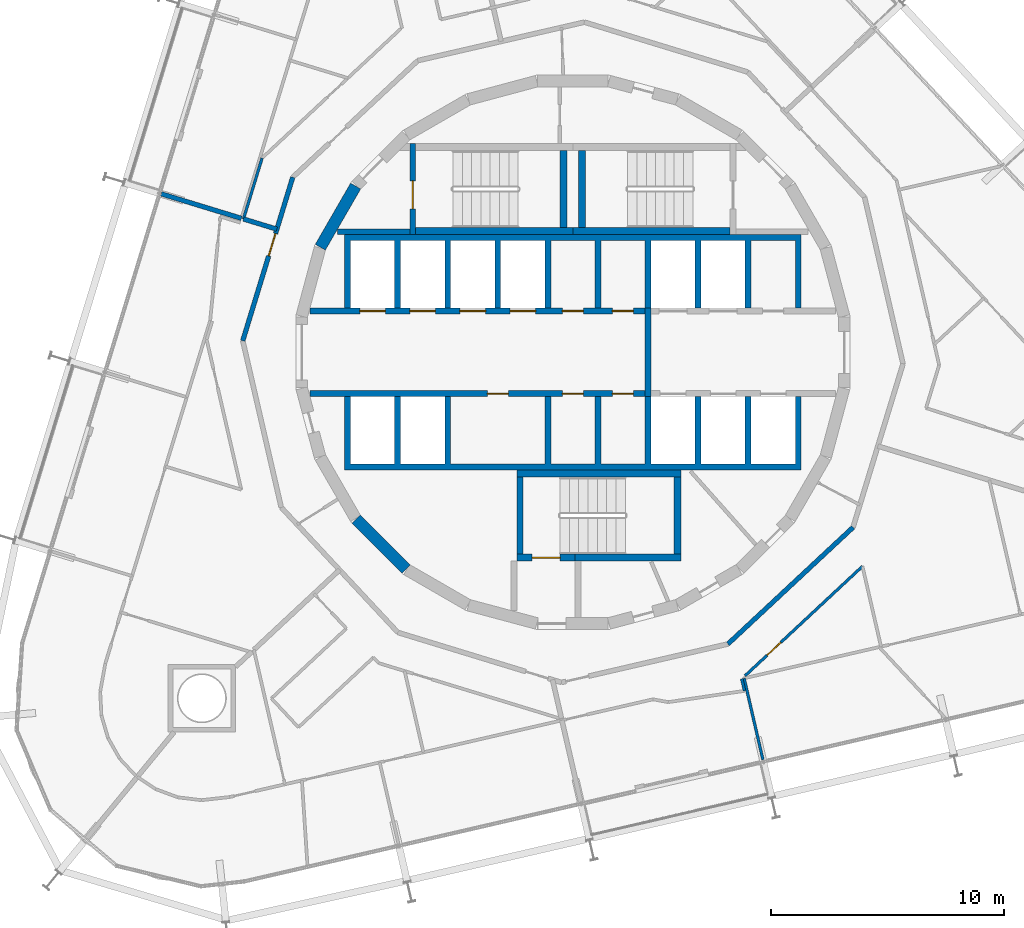
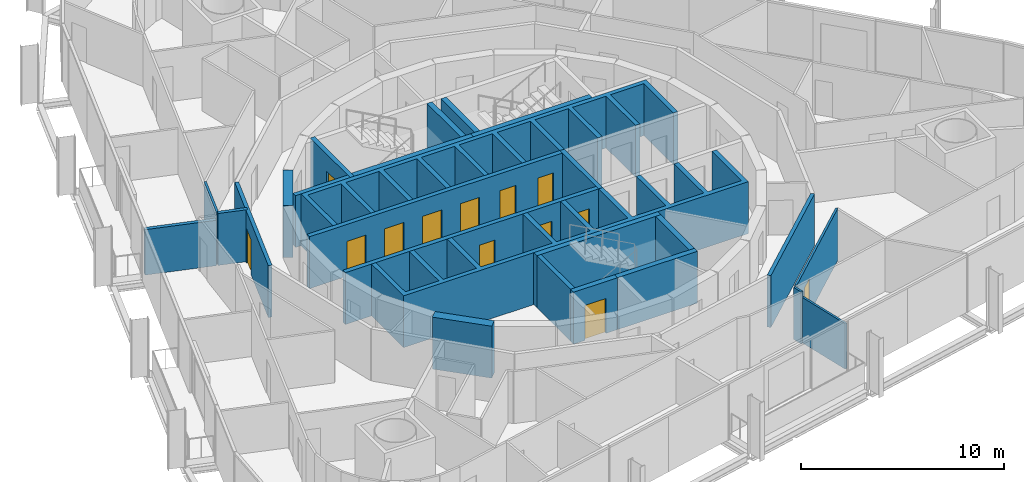
# One storey, part 13 of 18: 26 walls, 13 doors, 13 openings.
"""IFC4 building model written with IfcOpenShell, lengths in metres."""

from ifc_helpers import new_model, si_unit, direction, frame, frame_2d, origin, place, context, subcontext, project, spatial, polyline, rectangle, outline, extrude, material, layer, layer_set, type_object, element, fill, save


model = new_model("IFC4")

# Units and contexts
model_context = context("Model", 3, precision=1e-05, world=origin(), true_north=direction((0.0, 1.0)))
body_context = subcontext(model_context, "Body", "Model", "MODEL_VIEW")
ifc_project = project(units=[si_unit("LENGTHUNIT", "METRE"), si_unit("AREAUNIT", "SQUARE_METRE"), si_unit("VOLUMEUNIT", "CUBIC_METRE"), si_unit("PLANEANGLEUNIT", "RADIAN"), si_unit("MASSUNIT", "GRAM", prefix="KILO")], contexts=[model_context])

# Site, building, storey
site_placement = place(None, origin())
site = spatial("IfcSite", under=ifc_project, at=site_placement, CompositionType="ELEMENT")
building_placement = place(site_placement, origin())
building = spatial("IfcBuilding", under=site, at=building_placement, Name="Spindle Arch Residences", CompositionType="ELEMENT")
storey_placement = place(building_placement, frame((0.0, 0.0, 116.89990234375)))
storey = spatial("IfcBuildingStorey", under=building, at=storey_placement, Name="L28", CompositionType="ELEMENT", Elevation=116.89990234375)

# Walls
ifc_material_1 = material(Name="Concrete C50/60", Category="concrete")
ifc_layer_1 = layer(ifc_material_1, 0.5)
ifc_layer_set_1 = layer_set([ifc_layer_1], Name="Core outline wall 500")
wall_type_1 = type_object("IfcWallType", Name="Core outline wall 500", PredefinedType="SHEAR", material=ifc_layer_set_1)
wall_1_placement = place(storey_placement, frame((-9.32861328125, 7.13671875, 0.0), z_axis=(0.0, 0.0, 1.0), x_axis=(-0.500087131594, -0.865975092491, 0.0)))
element("IfcWall", 1, at=wall_1_placement, inside=storey, type_object=wall_type_1, Name="Core outline wall 16", PredefinedType="SHEAR", context=body_context, shape_type="SweptSolid", body=[
    extrude(rectangle(XDim=3.03271484375, YDim=0.5, at=frame_2d((1.516357421875, 0.0))), origin(), (0.0, 0.0, 1.0), 3.1201171875),
])
wall_2_placement = place(storey_placement, frame((-9.30810546875, -7.163818359375, 0.0), z_axis=(0.0, 0.0, 1.0), x_axis=(0.707106781187, -0.707106781187, 0.0)))
element("IfcWall", 2, at=wall_2_placement, inside=storey, type_object=wall_type_1, Name="Core outline wall 21", PredefinedType="SHEAR", context=body_context, shape_type="SweptSolid", body=[
    extrude(rectangle(XDim=3.032470703125, YDim=0.5, at=frame_2d((1.51611328125, 0.0))), origin(), (0.0, 0.0, 1.0), 3.1201171875),
])

# Wall, opening, door
ifc_material_2 = material(Name="Calcium silicate block, plastered")
ifc_layer_2 = layer(ifc_material_2, 0.199951171875)
ifc_layer_set_2 = layer_set([ifc_layer_2], Name="Corridor wall 200")
wall_type_2 = type_object("IfcWallType", Name="Corridor wall 200", PredefinedType="STANDARD", material=ifc_layer_set_2)
wall_3_placement = place(storey_placement, frame((-12.028076171875, 7.51611328125, 0.0), z_axis=(0.0, 0.0, 1.0), x_axis=(-0.292365533182, -0.956306642771, 0.0)))
wall_3 = element("IfcWall", 3, at=wall_3_placement, inside=storey, type_object=wall_type_2, Name="Corridor wall R3A1-W010", PredefinedType="STANDARD", context=body_context, shape_type="SweptSolid", body=[
    extrude(rectangle(XDim=7.341796875, YDim=0.199951171875, at=frame_2d((3.6708984375, 0.0))), origin(), (0.0, 0.0, 1.0), 3.1201171875),
])
opening_1_placement = place(wall_3_placement, frame((2.53271484375, 0.0, 0.0)))
opening_1 = element("IfcOpeningElement", 4, at=opening_1_placement, cuts=wall_3, Name="Opening R3A1-FD04", PredefinedType="OPENING", context=body_context, shape_type="SweptSolid", body=[
    extrude(rectangle(XDim=1.0, YDim=2.10009765625, at=frame_2d((0.5, 1.050048828125))), frame((0.0, 0.10986328125, 0.0), z_axis=(0.0, -1.0, 0.0), x_axis=(1.0, 0.0, 0.0)), (0.0, 0.0, 1.0), 0.219970703125),
])
ifc_material_3 = material(Name="Timber, fire-resisting door set", Category="wood")
door_type_1 = type_object("IfcDoorType", Name="Flat entrance door 1000x2100", OperationType="NOTDEFINED", PredefinedType="DOOR", material=ifc_material_3)
door_1_placement = place(opening_1_placement, origin())
door_1 = element("IfcDoor", 5, at=door_1_placement, inside=storey, type_object=door_type_1, Name="Flat entrance door R3A1-FD04", OperationType="SINGLE_SWING_LEFT", OverallHeight=2.10009765625, OverallWidth=1.0, PredefinedType="DOOR", context=body_context, shape_type="SweptSolid", body=[
    extrude(rectangle(XDim=1.0, YDim=2.10009765625, at=frame_2d((0.5, 1.050048828125))), frame((0.0, 0.02490234375, 0.0), z_axis=(0.0, -1.0, 0.0), x_axis=(1.0, 0.0, 0.0)), (0.0, 0.0, 1.0), 0.050048828125),
])
fill(opening_1, door_1)

# Walls
wall_4_placement = place(storey_placement, frame((6.65869140625, -12.523193359375, 0.0), z_axis=(0.0, 0.0, 1.0), x_axis=(0.731350455479, 0.682001841105, 0.0)))
element("IfcWall", 6, at=wall_4_placement, inside=storey, type_object=wall_type_2, Name="Corridor wall R3A1-W015", PredefinedType="STANDARD", context=body_context, shape_type="SweptSolid", body=[
    extrude(rectangle(XDim=7.341796875, YDim=0.199951171875, at=frame_2d((3.6708984375, 0.0))), origin(), (0.0, 0.0, 1.0), 3.1201171875),
])
ifc_material_4 = material(Name="Concrete C40/50", Category="concrete")
ifc_layer_3 = layer(ifc_material_4, 0.25)
ifc_layer_set_3 = layer_set([ifc_layer_3], Name="Fire-lift lobby wall 250")
wall_type_3 = type_object("IfcWallType", Name="Fire-lift lobby wall 250", PredefinedType="SHEAR", material=ifc_layer_set_3)
wall_5_placement = place(storey_placement, frame((3.22509765625, -1.89990234375, 0.0), z_axis=(0.0, 0.0, 1.0), x_axis=(0.0, 1.0, 0.0)))
element("IfcWall", 7, at=wall_5_placement, inside=storey, type_object=wall_type_3, Name="Fire-fighting lobby partition", PredefinedType="SHEAR", context=body_context, shape_type="SweptSolid", body=[
    extrude(rectangle(XDim=3.7998046875, YDim=0.25, at=frame_2d((1.89990234375, 0.0))), origin(), (0.0, 0.0, 1.0), 3.1201171875),
])
ifc_material_5 = material(Name="Plasterboard on steel studs", Category="steel")
ifc_layer_4 = layer(ifc_material_5, 0.1201171875)
ifc_layer_set_4 = layer_set([ifc_layer_4], Name="Flat partition 120")
wall_type_4 = type_object("IfcWallType", Name="Flat partition 120", PredefinedType="PARTITIONING", material=ifc_layer_set_4)
wall_6_placement = place(storey_placement, frame((-13.34521484375, 8.3388671875, 0.0), z_axis=(0.0, 0.0, 1.0), x_axis=(-0.292316072367, -0.956321762712, 0.0)))
element("IfcWall", 8, at=wall_6_placement, inside=storey, type_object=wall_type_4, Name="Flat partition R3A1-W063", PredefinedType="PARTITIONING", context=body_context, shape_type="SweptSolid", body=[
    extrude(rectangle(XDim=2.734375, YDim=0.1201171875, at=frame_2d((1.3671875, 0.0))), origin(), (0.0, 0.0, 1.0), 3.1201171875),
])
wall_7_placement = place(storey_placement, frame((7.368408203125, -14.53662109375, 0.0), z_axis=(0.0, 0.0, 1.0), x_axis=(-0.224960301109, 0.974367929955, 0.0)))
element("IfcWall", 9, at=wall_7_placement, inside=storey, type_object=wall_type_4, Name="Flat partition R3A1-W105", PredefinedType="PARTITIONING", context=body_context, shape_type="SweptSolid", body=[
    extrude(rectangle(XDim=0.53076171875, YDim=0.1201171875, at=frame_2d((0.265380859375, 0.0))), origin(), (0.0, 0.0, 1.0), 3.1201171875),
])

# Wall, opening, door
wall_8_placement = place(storey_placement, frame((7.3876953125, -13.894287109375, 0.0), z_axis=(0.0, 0.0, 1.0), x_axis=(0.731339966659, 0.682013088707, 0.0)))
wall_8 = element("IfcWall", 10, at=wall_8_placement, inside=storey, type_object=wall_type_4, Name="Flat partition R3A1-W106", PredefinedType="PARTITIONING", context=body_context, shape_type="SweptSolid", body=[
    extrude(rectangle(XDim=6.8994140625, YDim=0.1201171875, at=frame_2d((3.44970703125, 0.0))), origin(), (0.0, 0.0, 1.0), 3.1201171875),
])
opening_2_placement = place(wall_8_placement, frame((1.300048828125, 0.0, 0.0)))
opening_2 = element("IfcOpeningElement", 11, at=opening_2_placement, cuts=wall_8, Name="Opening R3A1-BD07", PredefinedType="OPENING", context=body_context, shape_type="SweptSolid", body=[
    extrude(rectangle(XDim=0.800048828125, YDim=2.10009765625, at=frame_2d((0.39990234375, 1.050048828125))), frame((0.0, 0.070068359375, 0.0), z_axis=(0.0, -1.0, 0.0), x_axis=(1.0, 0.0, 0.0)), (0.0, 0.0, 1.0), 0.14013671875),
])
ifc_material_6 = material(Name="Timber door set", Category="wood")
door_type_2 = type_object("IfcDoorType", Name="Bathroom door 800x2100", OperationType="NOTDEFINED", PredefinedType="DOOR", material=ifc_material_6)
door_2_placement = place(opening_2_placement, origin())
door_2 = element("IfcDoor", 12, at=door_2_placement, inside=storey, type_object=door_type_2, Name="Bathroom door R3A1-BD07", OperationType="SINGLE_SWING_RIGHT", OverallHeight=2.10009765625, OverallWidth=0.800048828125, PredefinedType="DOOR", context=body_context, shape_type="SweptSolid", body=[
    extrude(rectangle(XDim=0.800048828125, YDim=2.10009765625, at=frame_2d((0.39990234375, 1.050048828125))), frame((0.0, 0.02490234375, 0.0), z_axis=(0.0, -1.0, 0.0), x_axis=(1.0, 0.0, 0.0)), (0.0, 0.0, 1.0), 0.050048828125),
])
fill(opening_2, door_2)

# Walls
ifc_material_7 = material(Name="Plasterboard on steel studs", Category="steel")
ifc_layer_5 = layer(ifc_material_7, 0.1201171875)
ifc_layer_set_5 = layer_set([ifc_layer_5], Name="Flat partition 120 under beam 2730")
wall_type_5 = type_object("IfcWallType", Name="Flat partition 120 under beam 2730", PredefinedType="PARTITIONING", material=ifc_layer_set_5)
wall_9_placement = place(storey_placement, frame((8.1611328125, -17.503662109375, 0.0), z_axis=(0.0, 0.0, 1.0), x_axis=(-0.224943703639, 0.9743717618, 0.0)))
element("IfcWall", 13, at=wall_9_placement, inside=storey, type_object=wall_type_5, Name="Flat partition R3A1-W110", PredefinedType="PARTITIONING", context=body_context, shape_type="SweptSolid", body=[
    extrude(rectangle(XDim=3.60009765625, YDim=0.1201171875, at=frame_2d((1.800048828125, 0.0))), origin(), (0.0, 0.0, 1.0), 2.72998046875),
])
ifc_material_8 = material(Name="Calcium silicate block, plastered")
ifc_layer_6 = layer(ifc_material_8, 0.199951171875)
ifc_layer_set_6 = layer_set([ifc_layer_6], Name="Flat party wall 200")
wall_type_6 = type_object("IfcWallType", Name="Flat party wall 200", PredefinedType="STANDARD", material=ifc_layer_set_6)
wall_10_placement = place(storey_placement, frame((-14.14453125, 5.723876953125, 0.0), z_axis=(0.0, 0.0, 1.0), x_axis=(0.956266872747, -0.292495586439, 0.0)))
element("IfcWall", 14, at=wall_10_placement, inside=storey, type_object=wall_type_6, Name="Flat party wall R3A1-W023", PredefinedType="STANDARD", context=body_context, shape_type="SweptSolid", body=[
    extrude(rectangle(XDim=1.5, YDim=0.199951171875, at=frame_2d((0.75, 0.0))), origin(), (0.0, 0.0, 1.0), 3.1201171875),
])
ifc_material_9 = material(Name="Calcium silicate block, plastered")
ifc_layer_7 = layer(ifc_material_9, 0.199951171875)
ifc_layer_set_7 = layer_set([ifc_layer_7], Name="Flat party wall 200 under beam 2730")
wall_type_7 = type_object("IfcWallType", Name="Flat party wall 200 under beam 2730", PredefinedType="STANDARD", material=ifc_layer_set_7)
wall_11_placement = place(storey_placement, frame((-17.67431640625, 6.802978515625, 0.0), z_axis=(0.0, 0.0, 1.0), x_axis=(0.956293645939, -0.292408041504, 0.0)))
element("IfcWall", 15, at=wall_11_placement, inside=storey, type_object=wall_type_7, Name="Flat party wall R3A1-W024", PredefinedType="STANDARD", context=body_context, shape_type="SweptSolid", body=[
    extrude(rectangle(XDim=3.600341796875, YDim=0.199951171875, at=frame_2d((1.80029296875, 0.0))), origin(), (0.0, 0.0, 1.0), 2.72998046875),
])

# Wall, openings, doors
ifc_material_10 = material(Name="Concrete C50/60", Category="concrete")
ifc_layer_8 = layer(ifc_material_10, 0.25)
ifc_layer_set_8 = layer_set([ifc_layer_8], Name="Lift shaft wall 250")
wall_type_8 = type_object("IfcWallType", Name="Lift shaft wall 250", PredefinedType="SHEAR", material=ifc_layer_set_8)
wall_12_placement = place(storey_placement, frame((-11.280029296875, 1.77490234375, 0.0), z_axis=(0.0, 0.0, 1.0), x_axis=(1.0, 0.0, 0.0)))
wall_12 = element("IfcWall", 16, at=wall_12_placement, inside=storey, type_object=wall_type_8, Name="Lift shaft front wall NW", PredefinedType="SHEAR", context=body_context, shape_type="SweptSolid", body=[
    extrude(rectangle(XDim=14.380126953125, YDim=0.25, at=frame_2d((7.18994140625, 0.0))), origin(), (0.0, 0.0, 1.0), 3.1201171875),
])
opening_3_placement = place(wall_12_placement, frame((2.1298828125, 0.0, 0.0)))
opening_3 = element("IfcOpeningElement", 17, at=opening_3_placement, cuts=wall_12, Name="Opening R3A1-LD01", PredefinedType="OPENING", context=body_context, shape_type="SweptSolid", body=[
    extrude(rectangle(XDim=1.10009765625, YDim=2.10009765625, at=frame_2d((0.550048828125, 1.050048828125))), frame((0.0, 0.135009765625, 0.0), z_axis=(0.0, -1.0, 0.0), x_axis=(1.0, 0.0, 0.0)), (0.0, 0.0, 1.0), 0.27001953125),
])
opening_4_placement = place(wall_12_placement, frame((4.280029296875, 0.0, 0.0)))
opening_4 = element("IfcOpeningElement", 18, at=opening_4_placement, cuts=wall_12, Name="Opening R3A1-LD02", PredefinedType="OPENING", context=body_context, shape_type="SweptSolid", body=[
    extrude(rectangle(XDim=1.10009765625, YDim=2.10009765625, at=frame_2d((0.550048828125, 1.050048828125))), frame((0.0, 0.135009765625, 0.0), z_axis=(0.0, -1.0, 0.0), x_axis=(1.0, 0.0, 0.0)), (0.0, 0.0, 1.0), 0.27001953125),
])
opening_5_placement = place(wall_12_placement, frame((6.429931640625, 0.0, 0.0)))
opening_5 = element("IfcOpeningElement", 19, at=opening_5_placement, cuts=wall_12, Name="Opening R3A1-LD03", PredefinedType="OPENING", context=body_context, shape_type="SweptSolid", body=[
    extrude(rectangle(XDim=1.10009765625, YDim=2.10009765625, at=frame_2d((0.550048828125, 1.050048828125))), frame((0.0, 0.135009765625, 0.0), z_axis=(0.0, -1.0, 0.0), x_axis=(1.0, 0.0, 0.0)), (0.0, 0.0, 1.0), 0.27001953125),
])
opening_6_placement = place(wall_12_placement, frame((8.580078125, 0.0, 0.0)))
opening_6 = element("IfcOpeningElement", 20, at=opening_6_placement, cuts=wall_12, Name="Opening R3A1-LD04", PredefinedType="OPENING", context=body_context, shape_type="SweptSolid", body=[
    extrude(rectangle(XDim=1.10009765625, YDim=2.10009765625, at=frame_2d((0.550048828125, 1.050048828125))), frame((0.0, 0.135009765625, 0.0), z_axis=(0.0, -1.0, 0.0), x_axis=(1.0, 0.0, 0.0)), (0.0, 0.0, 1.0), 0.27001953125),
])
opening_7_placement = place(wall_12_placement, frame((10.830078125, 0.0, 0.0)))
opening_7 = element("IfcOpeningElement", 21, at=opening_7_placement, cuts=wall_12, Name="Opening R3A1-WD01", PredefinedType="OPENING", context=body_context, shape_type="SweptSolid", body=[
    extrude(rectangle(XDim=0.89990234375, YDim=2.10009765625, at=frame_2d((0.449951171875, 1.050048828125))), frame((0.0, 0.135009765625, 0.0), z_axis=(0.0, -1.0, 0.0), x_axis=(1.0, 0.0, 0.0)), (0.0, 0.0, 1.0), 0.27001953125),
])
opening_8_placement = place(wall_12_placement, frame((12.97998046875, 0.0, 0.0)))
opening_8 = element("IfcOpeningElement", 22, at=opening_8_placement, cuts=wall_12, Name="Opening R3A1-WD02", PredefinedType="OPENING", context=body_context, shape_type="SweptSolid", body=[
    extrude(rectangle(XDim=0.89990234375, YDim=2.10009765625, at=frame_2d((0.449951171875, 1.050048828125))), frame((0.0, 0.135009765625, 0.0), z_axis=(0.0, -1.0, 0.0), x_axis=(1.0, 0.0, 0.0)), (0.0, 0.0, 1.0), 0.27001953125),
])
ifc_material_11 = material(Name="Steel, fire-resisting landing door", Category="steel")
door_type_3 = type_object("IfcDoorType", Name="Lift landing door 1100x2100", OperationType="DOUBLE_DOOR_SLIDING", PredefinedType="DOOR", material=ifc_material_11)
door_3_placement = place(opening_3_placement, origin())
door_3 = element("IfcDoor", 23, at=door_3_placement, inside=storey, type_object=door_type_3, Name="Lift landing door R3A1-LD01", OperationType="DOUBLE_DOOR_SLIDING", OverallHeight=2.10009765625, OverallWidth=1.10009765625, PredefinedType="DOOR", context=body_context, shape_type="SweptSolid", body=[
    extrude(rectangle(XDim=1.10009765625, YDim=2.10009765625, at=frame_2d((0.550048828125, 1.050048828125))), frame((0.0, 0.02490234375, 0.0), z_axis=(0.0, -1.0, 0.0), x_axis=(1.0, 0.0, 0.0)), (0.0, 0.0, 1.0), 0.050048828125),
])
fill(opening_3, door_3)
door_4_placement = place(opening_4_placement, origin())
door_4 = element("IfcDoor", 24, at=door_4_placement, inside=storey, type_object=door_type_3, Name="Lift landing door R3A1-LD02", OperationType="DOUBLE_DOOR_SLIDING", OverallHeight=2.10009765625, OverallWidth=1.10009765625, PredefinedType="DOOR", context=body_context, shape_type="SweptSolid", body=[
    extrude(rectangle(XDim=1.10009765625, YDim=2.10009765625, at=frame_2d((0.550048828125, 1.050048828125))), frame((0.0, 0.02490234375, 0.0), z_axis=(0.0, -1.0, 0.0), x_axis=(1.0, 0.0, 0.0)), (0.0, 0.0, 1.0), 0.050048828125),
])
fill(opening_4, door_4)
door_5_placement = place(opening_5_placement, origin())
door_5 = element("IfcDoor", 25, at=door_5_placement, inside=storey, type_object=door_type_3, Name="Lift landing door R3A1-LD03", OperationType="DOUBLE_DOOR_SLIDING", OverallHeight=2.10009765625, OverallWidth=1.10009765625, PredefinedType="DOOR", context=body_context, shape_type="SweptSolid", body=[
    extrude(rectangle(XDim=1.10009765625, YDim=2.10009765625, at=frame_2d((0.550048828125, 1.050048828125))), frame((0.0, 0.02490234375, 0.0), z_axis=(0.0, -1.0, 0.0), x_axis=(1.0, 0.0, 0.0)), (0.0, 0.0, 1.0), 0.050048828125),
])
fill(opening_5, door_5)
door_6_placement = place(opening_6_placement, origin())
door_6 = element("IfcDoor", 26, at=door_6_placement, inside=storey, type_object=door_type_3, Name="Lift landing door R3A1-LD04", OperationType="DOUBLE_DOOR_SLIDING", OverallHeight=2.10009765625, OverallWidth=1.10009765625, PredefinedType="DOOR", context=body_context, shape_type="SweptSolid", body=[
    extrude(rectangle(XDim=1.10009765625, YDim=2.10009765625, at=frame_2d((0.550048828125, 1.050048828125))), frame((0.0, 0.02490234375, 0.0), z_axis=(0.0, -1.0, 0.0), x_axis=(1.0, 0.0, 0.0)), (0.0, 0.0, 1.0), 0.050048828125),
])
fill(opening_6, door_6)
ifc_material_12 = material(Name="Steel, fire-resisting door", Category="steel")
door_type_4 = type_object("IfcDoorType", Name="Service room door 900x2100", OperationType="SINGLE_SWING_LEFT", PredefinedType="DOOR", material=ifc_material_12)
door_7_placement = place(opening_7_placement, origin())
door_7 = element("IfcDoor", 27, at=door_7_placement, inside=storey, type_object=door_type_4, Name="Service room door R3A1-WD01", OperationType="SINGLE_SWING_RIGHT", OverallHeight=2.10009765625, OverallWidth=0.89990234375, PredefinedType="DOOR", context=body_context, shape_type="SweptSolid", body=[
    extrude(rectangle(XDim=0.89990234375, YDim=2.10009765625, at=frame_2d((0.449951171875, 1.050048828125))), frame((0.0, 0.02490234375, 0.0), z_axis=(0.0, -1.0, 0.0), x_axis=(1.0, 0.0, 0.0)), (0.0, 0.0, 1.0), 0.050048828125),
])
fill(opening_7, door_7)
door_8_placement = place(opening_8_placement, origin())
door_8 = element("IfcDoor", 28, at=door_8_placement, inside=storey, type_object=door_type_4, Name="Service room door R3A1-WD02", OperationType="SINGLE_SWING_LEFT", OverallHeight=2.10009765625, OverallWidth=0.89990234375, PredefinedType="DOOR", context=body_context, shape_type="SweptSolid", body=[
    extrude(rectangle(XDim=0.89990234375, YDim=2.10009765625, at=frame_2d((0.449951171875, 1.050048828125))), frame((0.0, 0.02490234375, 0.0), z_axis=(0.0, -1.0, 0.0), x_axis=(1.0, 0.0, 0.0)), (0.0, 0.0, 1.0), 0.050048828125),
])
fill(opening_8, door_8)

wall_13_placement = place(storey_placement, frame((-11.280029296875, -1.77490234375, 0.0), z_axis=(0.0, 0.0, 1.0), x_axis=(1.0, 0.0, 0.0)))
wall_13 = element("IfcWall", 29, at=wall_13_placement, inside=storey, type_object=wall_type_8, Name="Lift shaft front wall SW", PredefinedType="SHEAR", context=body_context, shape_type="SweptSolid", body=[
    extrude(rectangle(XDim=14.380126953125, YDim=0.25, at=frame_2d((7.18994140625, 0.0))), origin(), (0.0, 0.0, 1.0), 3.1201171875),
])
opening_9_placement = place(wall_13_placement, frame((7.60498046875, 0.0, 0.0)))
opening_9 = element("IfcOpeningElement", 30, at=opening_9_placement, cuts=wall_13, Name="Opening R3A1-WD04", PredefinedType="OPENING", context=body_context, shape_type="SweptSolid", body=[
    extrude(rectangle(XDim=0.89990234375, YDim=2.10009765625, at=frame_2d((0.449951171875, 1.050048828125))), frame((0.0, 0.135009765625, 0.0), z_axis=(0.0, -1.0, 0.0), x_axis=(1.0, 0.0, 0.0)), (0.0, 0.0, 1.0), 0.27001953125),
])
opening_10_placement = place(wall_13_placement, frame((10.830078125, 0.0, 0.0)))
opening_10 = element("IfcOpeningElement", 31, at=opening_10_placement, cuts=wall_13, Name="Opening R3A1-WD05", PredefinedType="OPENING", context=body_context, shape_type="SweptSolid", body=[
    extrude(rectangle(XDim=0.89990234375, YDim=2.10009765625, at=frame_2d((0.449951171875, 1.050048828125))), frame((0.0, 0.135009765625, 0.0), z_axis=(0.0, -1.0, 0.0), x_axis=(1.0, 0.0, 0.0)), (0.0, 0.0, 1.0), 0.27001953125),
])
opening_11_placement = place(wall_13_placement, frame((12.97998046875, 0.0, 0.0)))
opening_11 = element("IfcOpeningElement", 32, at=opening_11_placement, cuts=wall_13, Name="Opening R3A1-WD06", PredefinedType="OPENING", context=body_context, shape_type="SweptSolid", body=[
    extrude(rectangle(XDim=0.89990234375, YDim=2.10009765625, at=frame_2d((0.449951171875, 1.050048828125))), frame((0.0, 0.135009765625, 0.0), z_axis=(0.0, -1.0, 0.0), x_axis=(1.0, 0.0, 0.0)), (0.0, 0.0, 1.0), 0.27001953125),
])
door_9_placement = place(opening_9_placement, origin())
door_9 = element("IfcDoor", 33, at=door_9_placement, inside=storey, type_object=door_type_4, Name="Service room door R3A1-WD04", OperationType="SINGLE_SWING_LEFT", OverallHeight=2.10009765625, OverallWidth=0.89990234375, PredefinedType="DOOR", context=body_context, shape_type="SweptSolid", body=[
    extrude(rectangle(XDim=0.89990234375, YDim=2.10009765625, at=frame_2d((0.449951171875, 1.050048828125))), frame((0.0, 0.02490234375, 0.0), z_axis=(0.0, -1.0, 0.0), x_axis=(1.0, 0.0, 0.0)), (0.0, 0.0, 1.0), 0.050048828125),
])
fill(opening_9, door_9)
door_10_placement = place(opening_10_placement, origin())
door_10 = element("IfcDoor", 34, at=door_10_placement, inside=storey, type_object=door_type_4, Name="Service room door R3A1-WD05", OperationType="SINGLE_SWING_RIGHT", OverallHeight=2.10009765625, OverallWidth=0.89990234375, PredefinedType="DOOR", context=body_context, shape_type="SweptSolid", body=[
    extrude(rectangle(XDim=0.89990234375, YDim=2.10009765625, at=frame_2d((0.449951171875, 1.050048828125))), frame((0.0, 0.02490234375, 0.0), z_axis=(0.0, -1.0, 0.0), x_axis=(1.0, 0.0, 0.0)), (0.0, 0.0, 1.0), 0.050048828125),
])
fill(opening_10, door_10)
door_11_placement = place(opening_11_placement, origin())
door_11 = element("IfcDoor", 35, at=door_11_placement, inside=storey, type_object=door_type_4, Name="Service room door R3A1-WD06", OperationType="SINGLE_SWING_LEFT", OverallHeight=2.10009765625, OverallWidth=0.89990234375, PredefinedType="DOOR", context=body_context, shape_type="SweptSolid", body=[
    extrude(rectangle(XDim=0.89990234375, YDim=2.10009765625, at=frame_2d((0.449951171875, 1.050048828125))), frame((0.0, 0.02490234375, 0.0), z_axis=(0.0, -1.0, 0.0), x_axis=(1.0, 0.0, 0.0)), (0.0, 0.0, 1.0), 0.050048828125),
])
fill(opening_11, door_11)

# Walls
ifc_material_13 = material(Name="Concrete C50/60", Category="concrete")
wall_type_9 = type_object("IfcWallType", Name="Lift shaft wall profile", PredefinedType="SHEAR", material=ifc_material_13)
wall_14_placement = place(storey_placement, origin())
element("IfcWall", 36, at=wall_14_placement, inside=storey, type_object=wall_type_9, Name="Lift shaft walls N", PredefinedType="SHEAR", context=body_context, shape_type="SweptSolid", body=[
    extrude(outline(polyline([(-9.550048828125, 4.800048828125), (-7.64990234375, 4.800048828125), (-7.64990234375, 1.89990234375), (-7.39990234375, 1.89990234375), (-7.39990234375, 4.800048828125), (-5.5, 4.800048828125), (-5.5, 1.89990234375), (-5.25, 1.89990234375), (-5.25, 4.800048828125), (-3.35009765625, 4.800048828125), (-3.35009765625, 1.89990234375), (-3.10009765625, 1.89990234375), (-3.10009765625, 4.800048828125), (-1.199951171875, 4.800048828125), (-1.199951171875, 1.89990234375), (-0.949951171875, 1.89990234375), (-0.949951171875, 4.800048828125), (0.949951171875, 4.800048828125), (0.949951171875, 1.89990234375), (1.199951171875, 1.89990234375), (1.199951171875, 4.800048828125), (3.10009765625, 4.800048828125), (3.10009765625, 1.89990234375), (3.35009765625, 1.89990234375), (3.35009765625, 4.800048828125), (5.25, 4.800048828125), (5.25, 1.89990234375), (5.5, 1.89990234375), (5.5, 4.800048828125), (7.39990234375, 4.800048828125), (7.39990234375, 1.89990234375), (7.64990234375, 1.89990234375), (7.64990234375, 4.800048828125), (9.550048828125, 4.800048828125), (9.550048828125, 1.89990234375), (9.800048828125, 1.89990234375), (9.800048828125, 4.800048828125), (9.800048828125, 5.050048828125), (-9.800048828125, 5.050048828125), (-9.800048828125, 4.800048828125), (-9.800048828125, 1.89990234375), (-9.550048828125, 1.89990234375), (-9.550048828125, 4.800048828125)])), origin(), (0.0, 0.0, 1.0), 3.1201171875),
])
wall_15_placement = place(storey_placement, origin())
element("IfcWall", 37, at=wall_15_placement, inside=storey, type_object=wall_type_9, Name="Lift shaft walls S", PredefinedType="SHEAR", context=body_context, shape_type="SweptSolid", body=[
    extrude(outline(polyline([(9.800048828125, -5.050048828125), (9.800048828125, -4.800048828125), (9.800048828125, -1.89990234375), (9.550048828125, -1.89990234375), (9.550048828125, -4.800048828125), (7.64990234375, -4.800048828125), (7.64990234375, -1.89990234375), (7.39990234375, -1.89990234375), (7.39990234375, -4.800048828125), (5.5, -4.800048828125), (5.5, -1.89990234375), (5.25, -1.89990234375), (5.25, -4.800048828125), (3.35009765625, -4.800048828125), (3.35009765625, -1.89990234375), (3.10009765625, -1.89990234375), (3.10009765625, -4.800048828125), (1.199951171875, -4.800048828125), (1.199951171875, -1.89990234375), (0.949951171875, -1.89990234375), (0.949951171875, -4.800048828125), (-0.949951171875, -4.800048828125), (-0.949951171875, -1.89990234375), (-1.199951171875, -1.89990234375), (-1.199951171875, -4.800048828125), (-5.25, -4.800048828125), (-5.25, -1.89990234375), (-5.5, -1.89990234375), (-5.5, -4.800048828125), (-7.39990234375, -4.800048828125), (-7.39990234375, -1.89990234375), (-7.64990234375, -1.89990234375), (-7.64990234375, -4.800048828125), (-9.550048828125, -4.800048828125), (-9.550048828125, -1.89990234375), (-9.800048828125, -1.89990234375), (-9.800048828125, -4.800048828125), (-9.800048828125, -5.050048828125), (9.800048828125, -5.050048828125)])), origin(), (0.0, 0.0, 1.0), 3.1201171875),
])
ifc_material_14 = material(Name="Concrete C40/50", Category="concrete")
ifc_layer_9 = layer(ifc_material_14, 0.25)
ifc_layer_set_9 = layer_set([ifc_layer_9], Name="Stair airlock wall 250")
wall_type_10 = type_object("IfcWallType", Name="Stair airlock wall 250", PredefinedType="SHEAR", material=ifc_layer_set_9)
wall_16_placement = place(storey_placement, frame((-7.0, 5.175048828125, 0.0), z_axis=(0.0, 0.0, 1.0), x_axis=(-1.0, 0.0, 0.0)))
element("IfcWall", 38, at=wall_16_placement, inside=storey, type_object=wall_type_10, Name="Stair ST-2 airlock wall S", PredefinedType="SHEAR", context=body_context, shape_type="SweptSolid", body=[
    extrude(rectangle(XDim=3.10009765625, YDim=0.25, at=frame_2d((1.550048828125, 0.0))), origin(), (0.0, 0.0, 1.0), 3.1201171875),
])

# Wall, opening, door
ifc_material_15 = material(Name="Concrete C50/60", Category="concrete")
ifc_layer_10 = layer(ifc_material_15, 0.25)
ifc_layer_set_10 = layer_set([ifc_layer_10], Name="Stair enclosure wall 250")
wall_type_11 = type_object("IfcWallType", Name="Stair enclosure wall 250", PredefinedType="SHEAR", material=ifc_layer_set_10)
wall_17_placement = place(storey_placement, frame((-6.875, 8.969970703125, 0.0), z_axis=(0.0, 0.0, 1.0), x_axis=(0.0, -1.0, 0.0)))
wall_17 = element("IfcWall", 39, at=wall_17_placement, inside=storey, type_object=wall_type_11, Name="Stair ST-2 door wall", PredefinedType="SHEAR", context=body_context, shape_type="SweptSolid", body=[
    extrude(rectangle(XDim=3.919921875, YDim=0.25, at=frame_2d((1.9599609375, 0.0))), origin(), (0.0, 0.0, 1.0), 3.1201171875),
])
opening_12_placement = place(wall_17_placement, frame((1.610107421875, 0.0, 0.0)))
opening_12 = element("IfcOpeningElement", 40, at=opening_12_placement, cuts=wall_17, Name="Opening R3A1-SD02", PredefinedType="OPENING", context=body_context, shape_type="SweptSolid", body=[
    extrude(rectangle(XDim=1.199951171875, YDim=2.10009765625, at=frame_2d((0.60009765625, 1.050048828125))), frame((0.0, 0.135009765625, 0.0), z_axis=(0.0, -1.0, 0.0), x_axis=(1.0, 0.0, 0.0)), (0.0, 0.0, 1.0), 0.27001953125),
])
ifc_material_16 = material(Name="Steel, fire-resisting door", Category="steel")
door_type_5 = type_object("IfcDoorType", Name="Stair door 1200x2100", OperationType="SINGLE_SWING_RIGHT", PredefinedType="DOOR", material=ifc_material_16)
door_12_placement = place(opening_12_placement, origin())
door_12 = element("IfcDoor", 41, at=door_12_placement, inside=storey, type_object=door_type_5, Name="Stair door R3A1-SD02", OperationType="SINGLE_SWING_LEFT", OverallHeight=2.10009765625, OverallWidth=1.199951171875, PredefinedType="DOOR", context=body_context, shape_type="SweptSolid", body=[
    extrude(rectangle(XDim=1.199951171875, YDim=2.10009765625, at=frame_2d((0.60009765625, 1.050048828125))), frame((0.0, 0.02490234375, 0.0), z_axis=(0.0, -1.0, 0.0), x_axis=(1.0, 0.0, 0.0)), (0.0, 0.0, 1.0), 0.050048828125),
])
fill(opening_12, door_12)

# Walls
wall_18_placement = place(storey_placement, frame((-2.27490234375, -8.669921875, 0.0), z_axis=(0.0, 0.0, 1.0), x_axis=(0.0, 1.0, 0.0)))
element("IfcWall", 42, at=wall_18_placement, inside=storey, type_object=wall_type_11, Name="Stair ST-3 enclosure wall W", PredefinedType="SHEAR", context=body_context, shape_type="SweptSolid", body=[
    extrude(rectangle(XDim=3.31982421875, YDim=0.25, at=frame_2d((1.659912109375, 0.0))), origin(), (0.0, 0.0, 1.0), 3.1201171875),
])
ifc_material_17 = material(Name="Concrete C50/60", Category="concrete")
ifc_layer_11 = layer(ifc_material_17, 0.300048828125)
ifc_layer_set_11 = layer_set([ifc_layer_11], Name="Stair enclosure wall 300")
wall_type_12 = type_object("IfcWallType", Name="Stair enclosure wall 300", PredefinedType="SHEAR", material=ifc_layer_set_11)
wall_19_placement = place(storey_placement, frame((0.0, 5.199951171875, 0.0), z_axis=(0.0, 0.0, 1.0), x_axis=(1.0, 0.0, 0.0)))
element("IfcWall", 43, at=wall_19_placement, inside=storey, type_object=wall_type_12, Name="Stair ST-1 enclosure wall S", PredefinedType="SHEAR", context=body_context, shape_type="SweptSolid", body=[
    extrude(rectangle(XDim=6.75, YDim=0.300048828125, at=frame_2d((3.375, 0.0))), origin(), (0.0, 0.0, 1.0), 3.1201171875),
])
wall_20_placement = place(storey_placement, frame((0.39990234375, 5.35009765625, 0.0), z_axis=(0.0, 0.0, 1.0), x_axis=(0.0, 1.0, 0.0)))
element("IfcWall", 44, at=wall_20_placement, inside=storey, type_object=wall_type_12, Name="Stair ST-1 enclosure wall F", PredefinedType="SHEAR", context=body_context, shape_type="SweptSolid", body=[
    extrude(rectangle(XDim=3.31982421875, YDim=0.300048828125, at=frame_2d((1.659912109375, 0.0))), origin(), (0.0, 0.0, 1.0), 3.1201171875),
])
wall_21_placement = place(storey_placement, frame((-6.75, 5.199951171875, 0.0), z_axis=(0.0, 0.0, 1.0), x_axis=(1.0, 0.0, 0.0)))
element("IfcWall", 45, at=wall_21_placement, inside=storey, type_object=wall_type_12, Name="Stair ST-2 enclosure wall S", PredefinedType="SHEAR", context=body_context, shape_type="SweptSolid", body=[
    extrude(rectangle(XDim=6.75, YDim=0.300048828125, at=frame_2d((3.375, 0.0))), origin(), (0.0, 0.0, 1.0), 3.1201171875),
])
wall_22_placement = place(storey_placement, frame((-0.39990234375, 5.35009765625, 0.0), z_axis=(0.0, 0.0, 1.0), x_axis=(0.0, 1.0, 0.0)))
element("IfcWall", 46, at=wall_22_placement, inside=storey, type_object=wall_type_12, Name="Stair ST-2 enclosure wall F", PredefinedType="SHEAR", context=body_context, shape_type="SweptSolid", body=[
    extrude(rectangle(XDim=3.31982421875, YDim=0.300048828125, at=frame_2d((1.659912109375, 0.0))), origin(), (0.0, 0.0, 1.0), 3.1201171875),
])
wall_23_placement = place(storey_placement, frame((-2.39990234375, -5.199951171875, 0.0), z_axis=(0.0, 0.0, 1.0), x_axis=(1.0, 0.0, 0.0)))
element("IfcWall", 47, at=wall_23_placement, inside=storey, type_object=wall_type_12, Name="Stair ST-3 enclosure wall N", PredefinedType="SHEAR", context=body_context, shape_type="SweptSolid", body=[
    extrude(rectangle(XDim=7.0498046875, YDim=0.300048828125, at=frame_2d((3.52490234375, 0.0))), origin(), (0.0, 0.0, 1.0), 3.1201171875),
])
wall_24_placement = place(storey_placement, frame((4.5, -8.669921875, 0.0), z_axis=(0.0, 0.0, 1.0), x_axis=(0.0, 1.0, 0.0)))
element("IfcWall", 48, at=wall_24_placement, inside=storey, type_object=wall_type_12, Name="Stair ST-3 enclosure wall E", PredefinedType="SHEAR", context=body_context, shape_type="SweptSolid", body=[
    extrude(rectangle(XDim=3.31982421875, YDim=0.300048828125, at=frame_2d((1.659912109375, 0.0))), origin(), (0.0, 0.0, 1.0), 3.1201171875),
])
wall_25_placement = place(storey_placement, frame((0.10009765625, -8.820068359375, 0.0), z_axis=(0.0, 0.0, 1.0), x_axis=(1.0, 0.0, 0.0)))
element("IfcWall", 49, at=wall_25_placement, inside=storey, type_object=wall_type_12, Name="Stair ST-3 enclosure wall S", PredefinedType="SHEAR", context=body_context, shape_type="SweptSolid", body=[
    extrude(rectangle(XDim=4.5498046875, YDim=0.300048828125, at=frame_2d((2.27490234375, 0.0))), origin(), (0.0, 0.0, 1.0), 3.1201171875),
])

# Wall, opening, door
wall_26_placement = place(storey_placement, frame((-2.39990234375, -8.820068359375, 0.0), z_axis=(0.0, 0.0, 1.0), x_axis=(1.0, 0.0, 0.0)))
wall_26 = element("IfcWall", 50, at=wall_26_placement, inside=storey, type_object=wall_type_12, Name="Stair ST-3 door wall", PredefinedType="SHEAR", context=body_context, shape_type="SweptSolid", body=[
    extrude(rectangle(XDim=2.5, YDim=0.300048828125, at=frame_2d((1.25, 0.0))), origin(), (0.0, 0.0, 1.0), 3.1201171875),
])
opening_13_placement = place(wall_26_placement, frame((0.64990234375, 0.0, 0.0)))
opening_13 = element("IfcOpeningElement", 51, at=opening_13_placement, cuts=wall_26, Name="Opening R3A1-SD03", PredefinedType="OPENING", context=body_context, shape_type="SweptSolid", body=[
    extrude(rectangle(XDim=1.199951171875, YDim=2.10009765625, at=frame_2d((0.60009765625, 1.050048828125))), frame((0.0, 0.16015625, 0.0), z_axis=(0.0, -1.0, 0.0), x_axis=(1.0, 0.0, 0.0)), (0.0, 0.0, 1.0), 0.320068359375),
])
door_13_placement = place(opening_13_placement, origin())
door_13 = element("IfcDoor", 52, at=door_13_placement, inside=storey, type_object=door_type_5, Name="Stair door R3A1-SD03", OperationType="SINGLE_SWING_LEFT", OverallHeight=2.10009765625, OverallWidth=1.199951171875, PredefinedType="DOOR", context=body_context, shape_type="SweptSolid", body=[
    extrude(rectangle(XDim=1.199951171875, YDim=2.10009765625, at=frame_2d((0.60009765625, 1.050048828125))), frame((0.0, 0.02490234375, 0.0), z_axis=(0.0, -1.0, 0.0), x_axis=(1.0, 0.0, 0.0)), (0.0, 0.0, 1.0), 0.050048828125),
])
fill(opening_13, door_13)

save(model, "model.ifc")
